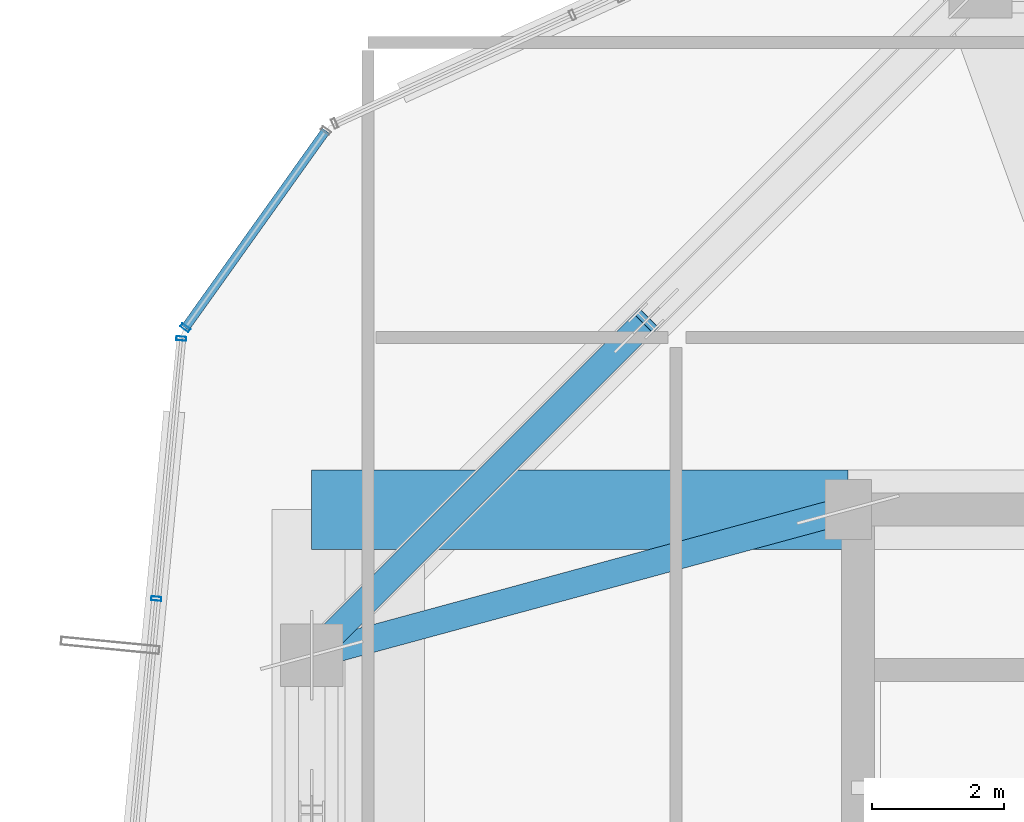
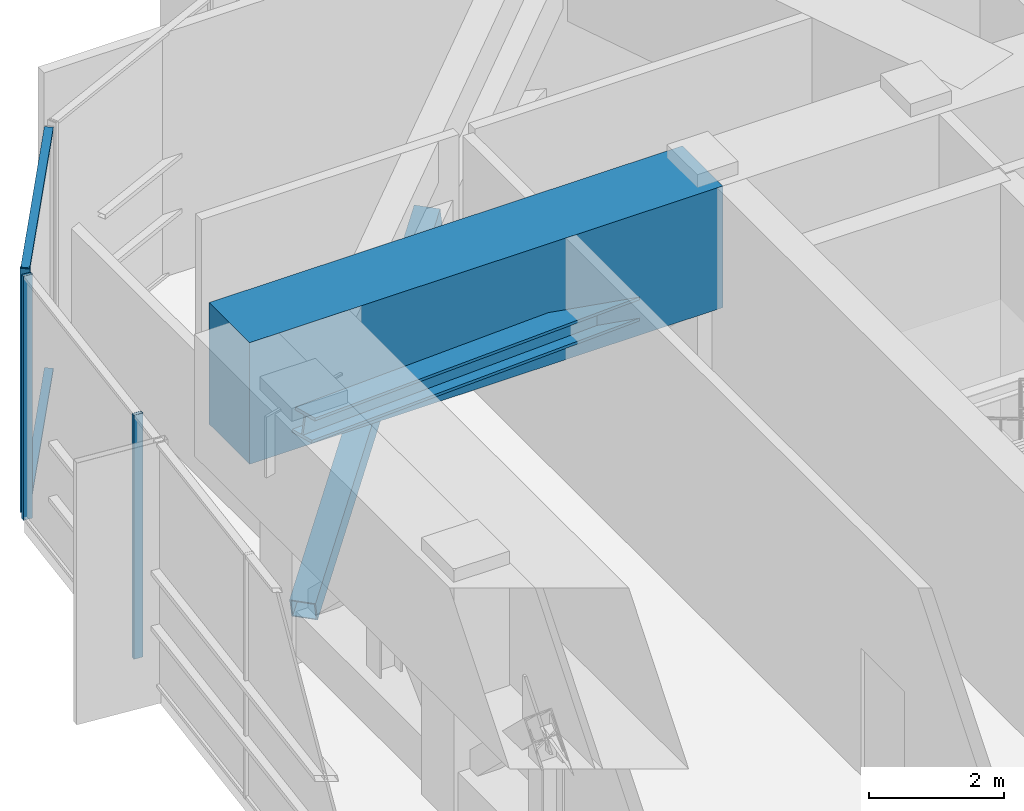
# One storey, part 14 of 31: 7 members, 1 beam, 2 elements without a shape of their own.
"""IFC4 building model written with IfcOpenShell, lengths in metres."""

from ifc_helpers import new_model, si_unit, direction, frame, origin, origin_2d, place, context, subcontext, project, spatial, rectangle, hollow_rectangle, i_section, extrude, source, transform, mapped, material, layer, layer_set, material_profile, profile_set, type_object, element, aggregate, save


model = new_model("IFC4")

# Units and contexts
model_context = context("Model", 3, precision=1e-05, world=origin(), true_north=direction((0.0, 1.0)))
body_context = subcontext(model_context, "Body", "Model", "MODEL_VIEW")
ifc_project = project(units=[si_unit("LENGTHUNIT", "METRE"), si_unit("AREAUNIT", "SQUARE_METRE"), si_unit("VOLUMEUNIT", "CUBIC_METRE"), si_unit("PLANEANGLEUNIT", "RADIAN"), si_unit("MASSUNIT", "GRAM", prefix="KILO")], contexts=[model_context])

# Site, building, storey
site_placement = place(None, origin())
site = spatial("IfcSite", under=ifc_project, at=site_placement, CompositionType="ELEMENT")
building_placement = place(site_placement, origin())
building = spatial("IfcBuilding", under=site, at=building_placement, Name="Veraguas Prism Commons", CompositionType="ELEMENT")
storey_placement = place(building_placement, frame((0.0, 0.0, 225.39990234375)))
storey = spatial("IfcBuildingStorey", under=building, at=storey_placement, Name="L64", CompositionType="ELEMENT", Elevation=225.39990234375)

# Member
ifc_material_1 = material(Name="Steel ASTM A992 Grade 50", Category="steel")
ifc_material_profile_1 = material_profile(ifc_material_1, i_section(OverallWidth=0.408935546875, OverallDepth=0.425048828125, WebThickness=0.030517578125, FlangeThickness=0.049072265625, at=origin_2d()), Name="W360X421")
ifc_profile_set_1 = profile_set([ifc_material_profile_1], Name="Steel ASTM A992 Grade 50")
member_type_1 = type_object("IfcMemberType", Name="Outrigger Truss Diagonal W360x421", PredefinedType="BRACE", material=ifc_profile_set_1)
member_1_placement = place(storey_placement, frame((17.199951171875, 31.0, 2.420166015625), z_axis=(-0.950476214414, -0.258152972483, 0.173066486158), x_axis=(0.262108146725, -0.965038506703, 0.0)))
element("IfcMember", 1, at=member_1_placement, inside=storey, type_object=member_type_1, Name="Outrigger Truss Diagonal L64-03", PredefinedType="BRACE", context=body_context, shape_type="SweptSolid", body=[
    extrude(i_section(OverallWidth=0.408935546875, OverallDepth=0.425048828125, WebThickness=0.030517578125, FlangeThickness=0.049072265625, at=origin_2d()), origin(), (0.0, 0.0, 1.0), 8.52197265625),
])

# Beam
ifc_material_2 = material(Name="Concrete C50/60", Category="concrete")
ifc_material_profile_2 = material_profile(ifc_material_2, rectangle(XDim=1.199951171875, YDim=2.199951171875, at=origin_2d()), Name="RC1200X2200")
ifc_profile_set_2 = profile_set([ifc_material_profile_2], Name="Concrete C50/60")
beam_type = type_object("IfcBeamType", Name="Podium Transfer Girder RC 1200x2200", PredefinedType="BEAM", material=ifc_profile_set_2)
beam_placement = place(storey_placement, frame((9.10009765625, 31.0, 3.315185546875), z_axis=(1.0, 0.0, 0.0), x_axis=(0.0, 1.0, 0.0)))
element("IfcBeam", 2, at=beam_placement, inside=storey, type_object=beam_type, Name="Outrigger Transfer Girder L64-XNW", PredefinedType="BEAM", context=body_context, shape_type="SweptSolid", body=[
    extrude(rectangle(XDim=1.199951171875, YDim=2.199951171875, at=origin_2d()), origin(), (0.0, 0.0, 1.0), 8.099853515625),
])

# Member
ifc_material_3 = material(Name="Steel ASTM A500 Grade C", Category="steel")
ifc_material_profile_3 = material_profile(ifc_material_3, hollow_rectangle(XDim=0.39990234375, YDim=0.39990234375, WallThickness=0.02001953125, at=origin_2d()), Name="HSS400X400X20")
ifc_profile_set_3 = profile_set([ifc_material_profile_3], Name="Steel ASTM A500 Grade C")
member_type_2 = type_object("IfcMemberType", Name="Wind Portal V-Brace HSS 400x400x20", PredefinedType="BRACE", material=ifc_profile_set_3)
member_2_placement = place(storey_placement, frame((9.10009765625, 28.800048828125, 0.550048828125), z_axis=(0.672635146231, 0.672667665819, 0.308350727933), x_axis=(-0.707123873653, 0.707089688307, 0.0)))
element("IfcMember", 3, at=member_2_placement, inside=storey, type_object=member_type_2, Name="Perimeter Belt Truss Brace L64-06B", PredefinedType="BRACE", context=body_context, shape_type="SweptSolid", body=[
    extrude(hollow_rectangle(XDim=0.39990234375, YDim=0.39990234375, WallThickness=0.02001953125, at=origin_2d()), origin(), (0.0, 0.0, 1.0), 7.507568359375),
])

# Curtain wall, members
ifc_material_4 = material(Name="Anodised aluminium EN AW-6063 T6", Category="aluminium")
ifc_layer = layer(ifc_material_4, 0.14990234375, Name="Unitised Flush Curtain Wall Zone 3", Category="aluminium")
ifc_layer_set = layer_set([ifc_layer], Name="Anodised aluminium EN AW-6063 T6")
curtain_wall_type = type_object("IfcCurtainWallType", Name="Unitised Flush Curtain Wall Zone 3", PredefinedType="NOTDEFINED", material=ifc_layer_set)
curtain_wall_1_placement = place(storey_placement, origin())
curtain_wall_1 = element("IfcCurtainWall", 4, at=curtain_wall_1_placement, inside=storey, type_object=curtain_wall_type, Name="Chamfer Curtain Wall L64-C3", PredefinedType="NOTDEFINED")
ifc_material_profile_4 = material_profile(ifc_material_4, hollow_rectangle(XDim=0.054931640625, YDim=0.135009765625, WallThickness=0.0029296875, at=origin_2d()), Name="AL55X135X3")
ifc_profile_set_4 = profile_set([ifc_material_profile_4], Name="Anodised aluminium EN AW-6063 T6")
member_type_3 = type_object("IfcMemberType", Name="Curtain Wall Transom Standard AL 55x135x3", PredefinedType="USERDEFINED", material=ifc_profile_set_4)
shared_shape_1 = source(origin(), body_context, "Body", "SweptSolid", [
    extrude(hollow_rectangle(XDim=0.054931640625, YDim=0.135009765625, WallThickness=0.0029296875, at=origin_2d()), origin(), (0.0, 0.0, 1.0), 3.654296875),
])
member_3_placement = place(storey_placement, frame((9.3134765625, 36.72021484375, 0.027587890625), z_axis=(-0.580694572496, -0.81412149798, 0.0), x_axis=(0.0, 0.0, 1.0)))
member_3 = element("IfcMember", 5, at=member_3_placement, type_object=member_type_3, Name="CW-Z3 Transom 1", ObjectType="TRANSOM", PredefinedType="USERDEFINED", context=body_context, shape_type="MappedRepresentation", body=[
    mapped(shared_shape_1, transform((0.0, 0.0, 0.0), scale=1.0)),
])
member_4_placement = place(storey_placement, frame((9.3134765625, 36.72021484375, 4.3876953125), z_axis=(-0.580694572496, -0.81412149798, 0.0), x_axis=(0.0, 0.0, 1.0)))
member_4 = element("IfcMember", 6, at=member_4_placement, type_object=member_type_3, Name="CW-Z3 Transom 2", ObjectType="TRANSOM", PredefinedType="USERDEFINED", context=body_context, shape_type="MappedRepresentation", body=[
    mapped(shared_shape_1, transform((0.0, 0.0, 0.0), scale=1.0)),
])

curtain_wall_2_placement = place(storey_placement, origin())
curtain_wall_2 = element("IfcCurtainWall", 7, at=curtain_wall_2_placement, inside=storey, type_object=curtain_wall_type, Name="Tower Facade Curtain Wall L64-F3", PredefinedType="NOTDEFINED")
ifc_material_profile_5 = material_profile(ifc_material_4, hollow_rectangle(XDim=0.06005859375, YDim=0.14990234375, WallThickness=0.0029296875, at=origin_2d()), Name="AL60X150X3")
ifc_profile_set_5 = profile_set([ifc_material_profile_5], Name="Anodised aluminium EN AW-6063 T6")
member_type_4 = type_object("IfcMemberType", Name="Curtain Wall Mullion Upper AL 60x150x3", PredefinedType="MULLION", material=ifc_profile_set_5)
shared_shape_2 = source(origin(), body_context, "Body", "SweptSolid", [
    extrude(hollow_rectangle(XDim=0.06005859375, YDim=0.14990234375, WallThickness=0.0029296875, at=origin_2d()), origin(), (0.0, 0.0, 1.0), 4.4150390625),
])
member_5_placement = place(storey_placement, frame((7.130615234375, 33.582275390625, 0.0), z_axis=(0.0, 0.0, 1.0), x_axis=(-0.095840540637, -0.995396700201, 0.0)))
member_5 = element("IfcMember", 8, at=member_5_placement, type_object=member_type_4, Name="CW-Z3 Mullion 1", PredefinedType="MULLION", context=body_context, shape_type="MappedRepresentation", body=[
    mapped(shared_shape_2, transform((0.0, 0.0, 0.0), scale=1.0)),
])
member_6_placement = place(storey_placement, frame((6.75244140625, 29.65478515625, 0.0), z_axis=(0.0, 0.0, 1.0), x_axis=(-0.095840540637, -0.995396700201, 0.0)))
member_6 = element("IfcMember", 9, at=member_6_placement, type_object=member_type_4, Name="CW-Z3 Mullion 2", PredefinedType="MULLION", context=body_context, shape_type="MappedRepresentation", body=[
    mapped(shared_shape_2, transform((0.0, 0.0, 0.0), scale=1.0)),
])
aggregate(curtain_wall_2, [member_5, member_6])

# Member
member_7_placement = place(storey_placement, frame((7.19140625, 33.7451171875, 0.0), z_axis=(0.0, 0.0, 1.0), x_axis=(-0.580702955711, -0.814115518356, 0.0)))
member_7 = element("IfcMember", 10, at=member_7_placement, type_object=member_type_4, Name="CW-Z3 Mullion 2", PredefinedType="MULLION", context=body_context, shape_type="MappedRepresentation", body=[
    mapped(shared_shape_2, transform((0.0, 0.0, 0.0), scale=1.0)),
])

aggregate(curtain_wall_1, [member_7, member_3, member_4])

save(model, "model.ifc")
